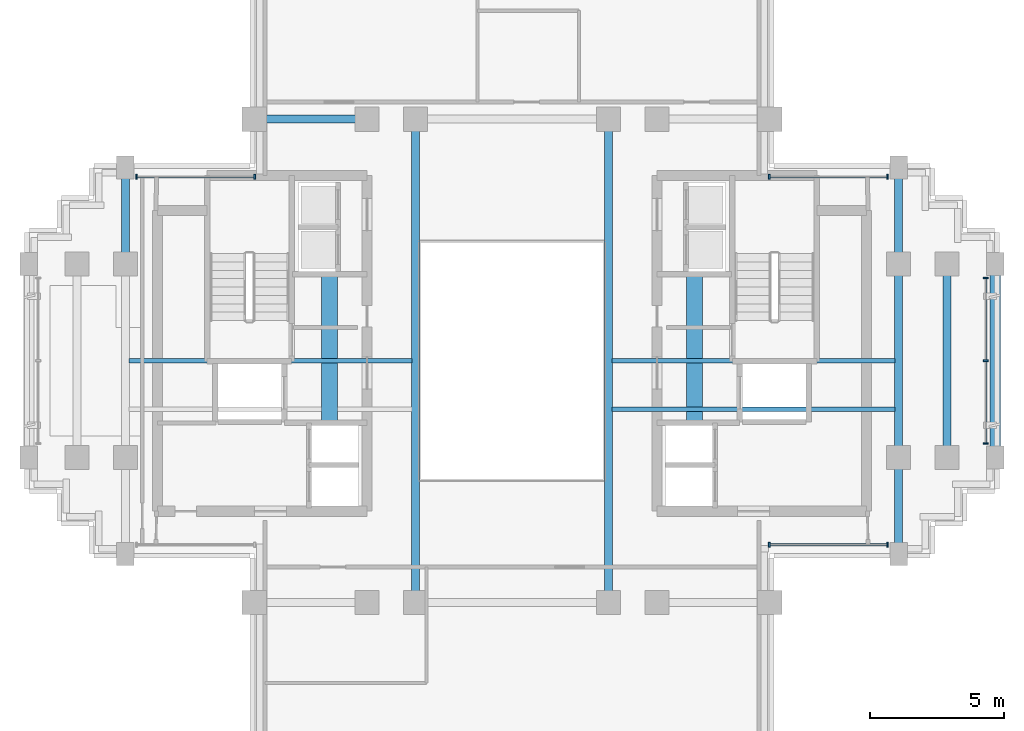
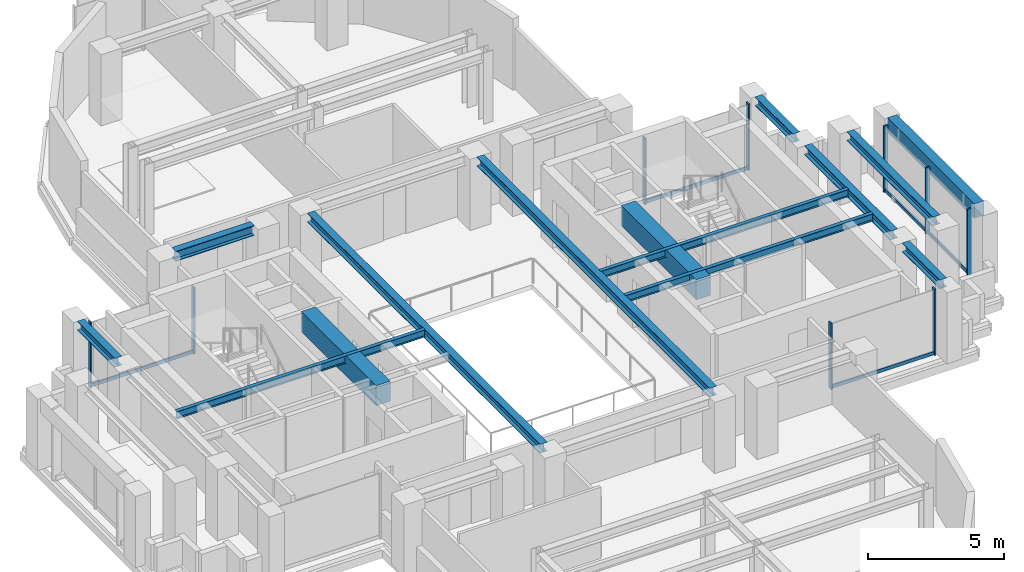
# One storey, part 3 of 12: 14 beams, 14 members, 4 elements without a shape of their own.
"""IFC4 building model written with IfcOpenShell, lengths in metres."""

from ifc_helpers import new_model, si_unit, direction, frame, origin, origin_2d, place, context, subcontext, project, spatial, rectangle, i_section, extrude, source, transform, mapped, material, material_profile, profile_set, type_object, element, aggregate, save


model = new_model("IFC4")

# Units and contexts
model_context = context("Model", 3, precision=1e-05, world=origin(), true_north=direction((0.0, 1.0)))
body_context = subcontext(model_context, "Body", "Model", "MODEL_VIEW")
ifc_project = project(units=[si_unit("LENGTHUNIT", "METRE"), si_unit("AREAUNIT", "SQUARE_METRE"), si_unit("VOLUMEUNIT", "CUBIC_METRE"), si_unit("PLANEANGLEUNIT", "RADIAN"), si_unit("MASSUNIT", "GRAM", prefix="KILO")], contexts=[model_context])

# Site, building, storey
site_placement = place(None, origin())
site = spatial("IfcSite", under=ifc_project, at=site_placement, CompositionType="ELEMENT")
building_placement = place(site_placement, origin())
building = spatial("IfcBuilding", under=site, at=building_placement, Name="Keilestroom Media Tower", CompositionType="ELEMENT")
storey_placement = place(building_placement, frame((0.0, 0.0, 177.39990234375)))
storey = spatial("IfcBuildingStorey", under=building, at=storey_placement, Name="L48", CompositionType="ELEMENT", Elevation=177.39990234375)

# Beams
ifc_material_1 = material(Name="Concrete C70/85", Category="concrete")
ifc_material_profile_1 = material_profile(ifc_material_1, rectangle(XDim=0.60009765625, YDim=0.89990234375, at=origin_2d()), Name="RC 600x900")
ifc_profile_set_1 = profile_set([ifc_material_profile_1], Name="Concrete C70/85")
beam_type_1 = type_object("IfcBeamType", Name="Core-Coupling-Lintel-Beam-RC-600x900", PredefinedType="LINTEL", material=ifc_profile_set_1)
shared_shape_1 = source(origin(), body_context, "Body", "SweptSolid", [
    extrude(rectangle(XDim=0.60009765625, YDim=0.89990234375, at=origin_2d()), origin(), (0.0, 0.0, 1.0), 5.52001953125),
])
for number, where, z_axis, x_axis, name in (
    (1, (-6.800048828125, -2.300048828125, 2.75), (0.0, 1.0, 0.0), (-1.0, 0.0, 0.0), "L48 Beam CLB-1 CLB-L48-W"),
    (2, (6.800048828125, -2.300048828125, 2.75), (0.0, 1.0, 0.0), (-1.0, 0.0, 0.0), "L48 Beam CLB-1 CLB-L48-E"),
):
    element("IfcBeam", number, at=place(storey_placement, frame(where, z_axis=z_axis, x_axis=x_axis)), inside=storey, type_object=beam_type_1, Name=name, PredefinedType="LINTEL", context=body_context, shape_type="MappedRepresentation", body=[
        mapped(shared_shape_1, transform((0.0, 0.0, 0.0), x_axis=(1.0, 0.0, 0.0), y_axis=(0.0, 1.0, 0.0), z_axis=(0.0, 0.0, 1.0), scale=1.0)),
    ])
ifc_material_2 = material(Name="Steel S355", Category="steel")
ifc_material_profile_2 = material_profile(ifc_material_2, i_section(OverallWidth=0.300048828125, OverallDepth=0.449951171875, WebThickness=0.011962890625, FlangeThickness=0.02587890625, at=origin_2d()), Name="HEB 450")
ifc_profile_set_2 = profile_set([ifc_material_profile_2], Name="Steel S355")
beam_type_2 = type_object("IfcBeamType", Name="Primary-Structural-Girder-HEB-450", PredefinedType="BEAM", material=ifc_profile_set_2)
shared_shape_2 = source(origin(), body_context, "Body", "SweptSolid", [
    extrude(i_section(OverallWidth=0.300048828125, OverallDepth=0.449951171875, WebThickness=0.011962890625, FlangeThickness=0.02587890625, at=origin_2d()), origin(), (0.0, 0.0, 1.0), 3.33984375),
])
beam_1_placement = place(storey_placement, frame((-9.169921875, 9.0, 2.97509765625), z_axis=(1.0, 0.0, 0.0), x_axis=(0.0, 1.0, 0.0)))
element("IfcBeam", 3, at=beam_1_placement, inside=storey, type_object=beam_type_2, Name="L48 Beam BG-7 BM-L48-EW-020", PredefinedType="BEAM", context=body_context, shape_type="MappedRepresentation", body=[
    mapped(shared_shape_2, transform((0.0, 0.0, 0.0), x_axis=(1.0, 0.0, 0.0), y_axis=(0.0, 1.0, 0.0), z_axis=(0.0, 0.0, 1.0), scale=1.0)),
])
ifc_material_3 = material(Name="Precast concrete C40/50", Category="concrete")
ifc_material_profile_3 = material_profile(ifc_material_3, rectangle(XDim=0.39990234375, YDim=0.64990234375, at=origin_2d()), Name="PC 400x650")
ifc_profile_set_3 = profile_set([ifc_material_profile_3], Name="Precast concrete C40/50")
beam_type_3 = type_object("IfcBeamType", Name="Perimeter-Spandrel-Beam-PC-400x650", PredefinedType="SPANDREL", material=ifc_profile_set_3)
shared_shape_3 = source(origin(), body_context, "Body", "SweptSolid", [
    extrude(rectangle(XDim=0.39990234375, YDim=0.64990234375, at=origin_2d()), origin(), (0.0, 0.0, 1.0), 6.39013671875),
])
beam_2_placement = place(storey_placement, frame((18.0, -3.195068359375, 2.875), z_axis=(0.0, 1.0, 0.0), x_axis=(-1.0, 0.0, 0.0)))
element("IfcBeam", 4, at=beam_2_placement, inside=storey, type_object=beam_type_3, Name="L48 Beam SPB-2 BM-L48-NS-054", PredefinedType="SPANDREL", context=body_context, shape_type="MappedRepresentation", body=[
    mapped(shared_shape_3, transform((0.0, 0.0, 0.0), x_axis=(1.0, 0.0, 0.0), y_axis=(0.0, 1.0, 0.0), z_axis=(0.0, 0.0, 1.0), scale=1.0)),
])
ifc_material_profile_4 = material_profile(ifc_material_2, i_section(OverallWidth=0.300048828125, OverallDepth=0.39990234375, WebThickness=0.011474609375, FlangeThickness=0.02392578125, at=origin_2d()), Name="HEB 400")
ifc_profile_set_4 = profile_set([ifc_material_profile_4], Name="Steel S355")
beam_type_4 = type_object("IfcBeamType", Name="Primary-Structural-Girder-HEB-400", PredefinedType="BEAM", material=ifc_profile_set_4)
shared_shape_4 = source(origin(), body_context, "Body", "SweptSolid", [
    extrude(i_section(OverallWidth=0.300048828125, OverallDepth=0.39990234375, WebThickness=0.011474609375, FlangeThickness=0.02392578125, at=origin_2d()), origin(), (0.0, 0.0, 1.0), 6.33984375),
])
for number, where, z_axis, x_axis, name in (
    (5, (14.39990234375, -3.169921875, 3.0), (0.0, 1.0, 0.0), (-1.0, 0.0, 0.0), "L48 Beam BG-8 BM-L48-NS-051"),
    (6, (16.199951171875, -3.169921875, 3.0), (0.0, 1.0, 0.0), (-1.0, 0.0, 0.0), "L48 Beam BG-8 BM-L48-NS-053"),
):
    element("IfcBeam", number, at=place(storey_placement, frame(where, z_axis=z_axis, x_axis=x_axis)), inside=storey, type_object=beam_type_4, Name=name, PredefinedType="BEAM", context=body_context, shape_type="MappedRepresentation", body=[
        mapped(shared_shape_4, transform((0.0, 0.0, 0.0), x_axis=(1.0, 0.0, 0.0), y_axis=(0.0, 1.0, 0.0), z_axis=(0.0, 0.0, 1.0), scale=1.0)),
    ])
shared_shape_5 = source(origin(), body_context, "Body", "SweptSolid", [
    extrude(i_section(OverallWidth=0.300048828125, OverallDepth=0.39990234375, WebThickness=0.011474609375, FlangeThickness=0.02392578125, at=origin_2d()), origin(), (0.0, 0.0, 1.0), 2.764892578125),
])
for number, where, z_axis, x_axis, name in (
    (7, (-14.39990234375, 4.030029296875, 3.0), (0.0, 1.0, 0.0), (-1.0, 0.0, 0.0), "L48 Beam BG-8 BM-L48-NS-035"),
    (8, (14.39990234375, -6.794921875, 3.0), (0.0, 1.0, 0.0), (-1.0, 0.0, 0.0), "L48 Beam BG-8 BM-L48-NS-050"),
    (9, (14.39990234375, 4.030029296875, 3.0), (0.0, 1.0, 0.0), (-1.0, 0.0, 0.0), "L48 Beam BG-8 BM-L48-NS-052"),
):
    element("IfcBeam", number, at=place(storey_placement, frame(where, z_axis=z_axis, x_axis=x_axis)), inside=storey, type_object=beam_type_4, Name=name, PredefinedType="BEAM", context=body_context, shape_type="MappedRepresentation", body=[
        mapped(shared_shape_5, transform((0.0, 0.0, 0.0), x_axis=(1.0, 0.0, 0.0), y_axis=(0.0, 1.0, 0.0), z_axis=(0.0, 0.0, 1.0), scale=1.0)),
    ])
shared_shape_6 = source(origin(), body_context, "Body", "SweptSolid", [
    extrude(i_section(OverallWidth=0.300048828125, OverallDepth=0.39990234375, WebThickness=0.011474609375, FlangeThickness=0.02392578125, at=origin_2d()), origin(), (0.0, 0.0, 1.0), 17.14013671875),
])
for number, where, z_axis, x_axis, name in (
    (10, (-3.60009765625, -8.570068359375, 3.0), (0.0, 1.0, 0.0), (-1.0, 0.0, 0.0), "L48 Beam BG-8 BM-L48-NS-040"),
    (11, (3.60009765625, -8.570068359375, 3.0), (0.0, 1.0, 0.0), (-1.0, 0.0, 0.0), "L48 Beam BG-8 BM-L48-NS-045"),
):
    element("IfcBeam", number, at=place(storey_placement, frame(where, z_axis=z_axis, x_axis=x_axis)), inside=storey, type_object=beam_type_4, Name=name, PredefinedType="BEAM", context=body_context, shape_type="MappedRepresentation", body=[
        mapped(shared_shape_6, transform((0.0, 0.0, 0.0), x_axis=(1.0, 0.0, 0.0), y_axis=(0.0, 1.0, 0.0), z_axis=(0.0, 0.0, 1.0), scale=1.0)),
    ])
ifc_material_profile_5 = material_profile(ifc_material_2, i_section(OverallWidth=0.159912109375, OverallDepth=0.330078125, WebThickness=0.007568359375, FlangeThickness=0.011474609375, at=origin_2d()), Name="IPE 330")
ifc_profile_set_5 = profile_set([ifc_material_profile_5], Name="Steel S355")
beam_type_5 = type_object("IfcBeamType", Name="Secondary-Floor-Joist-IPE-330", PredefinedType="JOIST", material=ifc_profile_set_5)
shared_shape_7 = source(origin(), body_context, "Body", "SweptSolid", [
    extrude(i_section(OverallWidth=0.159912109375, OverallDepth=0.330078125, WebThickness=0.007568359375, FlangeThickness=0.011474609375, at=origin_2d()), origin(), (0.0, 0.0, 1.0), 10.5400390625),
])
for number, where, z_axis, x_axis, name in (
    (12, (3.72998046875, -1.800048828125, 3.03515625), (1.0, 0.0, 0.0), (0.0, 1.0, 0.0), "L48 Beam BJ-6 JST-L48-059"),
    (13, (-14.27001953125, 0.0, 3.03515625), (1.0, 0.0, 0.0), (0.0, 1.0, 0.0), "L48 Beam BJ-6 JST-L48-060"),
    (14, (3.72998046875, 0.0, 3.03515625), (1.0, 0.0, 0.0), (0.0, 1.0, 0.0), "L48 Beam BJ-6 JST-L48-062"),
):
    element("IfcBeam", number, at=place(storey_placement, frame(where, z_axis=z_axis, x_axis=x_axis)), inside=storey, type_object=beam_type_5, Name=name, PredefinedType="JOIST", context=body_context, shape_type="MappedRepresentation", body=[
        mapped(shared_shape_7, transform((0.0, 0.0, 0.0), x_axis=(1.0, 0.0, 0.0), y_axis=(0.0, 1.0, 0.0), z_axis=(0.0, 0.0, 1.0), scale=1.0)),
    ])

# Curtain wall, members
ifc_material_4 = material(Name="Anodised Aluminium Alloy", Category="aluminium")
curtain_wall_type = type_object("IfcCurtainWallType", Name="Unitised-Curtain-Wall-CW-3", PredefinedType="NOTDEFINED", material=ifc_material_4)
curtain_wall_1_placement = place(storey_placement, origin())
curtain_wall_1 = element("IfcCurtainWall", 15, at=curtain_wall_1_placement, inside=storey, type_object=curtain_wall_type, Name="L48 Curtain Wall CW-3 CW-L48-E-1", PredefinedType="NOTDEFINED")
ifc_material_profile_6 = material_profile(ifc_material_4, rectangle(XDim=0.06494140625, YDim=0.179931640625, at=origin_2d()), Name="ALU MULLION 65x180")
ifc_profile_set_6 = profile_set([ifc_material_profile_6], Name="Anodised Aluminium Alloy")
member_type_1 = type_object("IfcMemberType", Name="Curtain-Wall-Mullion-CW-3", PredefinedType="MULLION", material=ifc_profile_set_6)
shared_shape_8 = source(origin(), body_context, "Body", "SweptSolid", [
    extrude(rectangle(XDim=0.06494140625, YDim=0.179931640625, at=origin_2d()), origin(), (0.0, 0.0, 1.0), 2.97998046875),
])
member_1_placement = place(storey_placement, frame((17.64990234375, -3.08251953125, 0.0), z_axis=(0.0, 0.0, 1.0), x_axis=(0.0, 1.0, 0.0)))
member_1 = element("IfcMember", 16, at=member_1_placement, type_object=member_type_1, Name="CW-3 Mullion 00", PredefinedType="MULLION", context=body_context, shape_type="MappedRepresentation", body=[
    mapped(shared_shape_8, transform((0.0, 0.0, 0.0), x_axis=(1.0, 0.0, 0.0), y_axis=(0.0, 1.0, 0.0), z_axis=(0.0, 0.0, 1.0), scale=1.0)),
])
member_2_placement = place(storey_placement, frame((17.64990234375, 0.0, 0.0), z_axis=(0.0, 0.0, 1.0), x_axis=(0.0, 1.0, 0.0)))
member_2 = element("IfcMember", 17, at=member_2_placement, type_object=member_type_1, Name="CW-3 Mullion 01", PredefinedType="MULLION", context=body_context, shape_type="MappedRepresentation", body=[
    mapped(shared_shape_8, transform((0.0, 0.0, 0.0), x_axis=(1.0, 0.0, 0.0), y_axis=(0.0, 1.0, 0.0), z_axis=(0.0, 0.0, 1.0), scale=1.0)),
])
member_3_placement = place(storey_placement, frame((17.64990234375, 3.08251953125, 0.0), z_axis=(0.0, 0.0, 1.0), x_axis=(0.0, 1.0, 0.0)))
member_3 = element("IfcMember", 18, at=member_3_placement, type_object=member_type_1, Name="CW-3 Mullion 02", PredefinedType="MULLION", context=body_context, shape_type="MappedRepresentation", body=[
    mapped(shared_shape_8, transform((0.0, 0.0, 0.0), x_axis=(1.0, 0.0, 0.0), y_axis=(0.0, 1.0, 0.0), z_axis=(0.0, 0.0, 1.0), scale=1.0)),
])

curtain_wall_2_placement = place(storey_placement, origin())
curtain_wall_2 = element("IfcCurtainWall", 19, at=curtain_wall_2_placement, inside=storey, type_object=curtain_wall_type, Name="L48 Curtain Wall CW-3 CW-L48-NW-1", PredefinedType="NOTDEFINED")
member_4_placement = place(storey_placement, frame((-13.982421875, 6.85009765625, 0.0), z_axis=(0.0, 0.0, 1.0), x_axis=(1.0, 0.0, 0.0)))
member_4 = element("IfcMember", 20, at=member_4_placement, type_object=member_type_1, Name="CW-3 Mullion 00", PredefinedType="MULLION", context=body_context, shape_type="MappedRepresentation", body=[
    mapped(shared_shape_8, transform((0.0, 0.0, 0.0), x_axis=(1.0, 0.0, 0.0), y_axis=(0.0, 1.0, 0.0), z_axis=(0.0, 0.0, 1.0), scale=1.0)),
])
member_5_placement = place(storey_placement, frame((-9.58251953125, 6.85009765625, 0.0), z_axis=(0.0, 0.0, 1.0), x_axis=(1.0, 0.0, 0.0)))
member_5 = element("IfcMember", 21, at=member_5_placement, type_object=member_type_1, Name="CW-3 Mullion 01", PredefinedType="MULLION", context=body_context, shape_type="MappedRepresentation", body=[
    mapped(shared_shape_8, transform((0.0, 0.0, 0.0), x_axis=(1.0, 0.0, 0.0), y_axis=(0.0, 1.0, 0.0), z_axis=(0.0, 0.0, 1.0), scale=1.0)),
])

curtain_wall_3_placement = place(storey_placement, origin())
curtain_wall_3 = element("IfcCurtainWall", 22, at=curtain_wall_3_placement, inside=storey, type_object=curtain_wall_type, Name="L48 Curtain Wall CW-3 CW-L48-NE-1", PredefinedType="NOTDEFINED")
member_6_placement = place(storey_placement, frame((9.58251953125, 6.85009765625, 0.0), z_axis=(0.0, 0.0, 1.0), x_axis=(1.0, 0.0, 0.0)))
member_6 = element("IfcMember", 23, at=member_6_placement, type_object=member_type_1, Name="CW-3 Mullion 00", PredefinedType="MULLION", context=body_context, shape_type="MappedRepresentation", body=[
    mapped(shared_shape_8, transform((0.0, 0.0, 0.0), x_axis=(1.0, 0.0, 0.0), y_axis=(0.0, 1.0, 0.0), z_axis=(0.0, 0.0, 1.0), scale=1.0)),
])
member_7_placement = place(storey_placement, frame((13.982421875, 6.85009765625, 0.0), z_axis=(0.0, 0.0, 1.0), x_axis=(1.0, 0.0, 0.0)))
member_7 = element("IfcMember", 24, at=member_7_placement, type_object=member_type_1, Name="CW-3 Mullion 01", PredefinedType="MULLION", context=body_context, shape_type="MappedRepresentation", body=[
    mapped(shared_shape_8, transform((0.0, 0.0, 0.0), x_axis=(1.0, 0.0, 0.0), y_axis=(0.0, 1.0, 0.0), z_axis=(0.0, 0.0, 1.0), scale=1.0)),
])

curtain_wall_4_placement = place(storey_placement, origin())
curtain_wall_4 = element("IfcCurtainWall", 25, at=curtain_wall_4_placement, inside=storey, type_object=curtain_wall_type, Name="L48 Curtain Wall CW-3 CW-L48-SE-1", PredefinedType="NOTDEFINED")
member_8_placement = place(storey_placement, frame((9.58251953125, -6.85009765625, 0.0), z_axis=(0.0, 0.0, 1.0), x_axis=(1.0, 0.0, 0.0)))
member_8 = element("IfcMember", 26, at=member_8_placement, type_object=member_type_1, Name="CW-3 Mullion 00", PredefinedType="MULLION", context=body_context, shape_type="MappedRepresentation", body=[
    mapped(shared_shape_8, transform((0.0, 0.0, 0.0), x_axis=(1.0, 0.0, 0.0), y_axis=(0.0, 1.0, 0.0), z_axis=(0.0, 0.0, 1.0), scale=1.0)),
])
member_9_placement = place(storey_placement, frame((13.982421875, -6.85009765625, 0.0), z_axis=(0.0, 0.0, 1.0), x_axis=(1.0, 0.0, 0.0)))
member_9 = element("IfcMember", 27, at=member_9_placement, type_object=member_type_1, Name="CW-3 Mullion 01", PredefinedType="MULLION", context=body_context, shape_type="MappedRepresentation", body=[
    mapped(shared_shape_8, transform((0.0, 0.0, 0.0), x_axis=(1.0, 0.0, 0.0), y_axis=(0.0, 1.0, 0.0), z_axis=(0.0, 0.0, 1.0), scale=1.0)),
])

# Member
ifc_material_profile_7 = material_profile(ifc_material_4, rectangle(XDim=0.06494140625, YDim=0.14990234375, at=origin_2d()), Name="ALU TRANSOM 65x150")
ifc_profile_set_7 = profile_set([ifc_material_profile_7], Name="Anodised Aluminium Alloy")
member_type_2 = type_object("IfcMemberType", Name="Curtain-Wall-Transom-CW-3", PredefinedType="USERDEFINED", material=ifc_profile_set_7)
shared_shape_9 = source(origin(), body_context, "Body", "SweptSolid", [
    extrude(rectangle(XDim=0.06494140625, YDim=0.14990234375, at=origin_2d()), origin(), (0.0, 0.0, 1.0), 4.3388671875),
])
member_10_placement = place(storey_placement, frame((-13.951904296875, 6.85009765625, 0.0751953125), z_axis=(1.0, 0.0, 0.0), x_axis=(0.0, 1.0, 0.0)))
member_10 = element("IfcMember", 28, at=member_10_placement, type_object=member_type_2, Name="CW-3 Transom 00.1", ObjectType="TRANSOM", PredefinedType="USERDEFINED", context=body_context, shape_type="MappedRepresentation", body=[
    mapped(shared_shape_9, transform((0.0, 0.0, 0.0), x_axis=(1.0, 0.0, 0.0), y_axis=(0.0, 1.0, 0.0), z_axis=(0.0, 0.0, 1.0), scale=1.0)),
])

aggregate(curtain_wall_2, [member_4, member_5, member_10])

member_11_placement = place(storey_placement, frame((9.613037109375, 6.85009765625, 0.0751953125), z_axis=(1.0, 0.0, 0.0), x_axis=(0.0, 1.0, 0.0)))
member_11 = element("IfcMember", 29, at=member_11_placement, type_object=member_type_2, Name="CW-3 Transom 00.1", ObjectType="TRANSOM", PredefinedType="USERDEFINED", context=body_context, shape_type="MappedRepresentation", body=[
    mapped(shared_shape_9, transform((0.0, 0.0, 0.0), x_axis=(1.0, 0.0, 0.0), y_axis=(0.0, 1.0, 0.0), z_axis=(0.0, 0.0, 1.0), scale=1.0)),
])

aggregate(curtain_wall_3, [member_6, member_7, member_11])

member_12_placement = place(storey_placement, frame((9.613037109375, -6.85009765625, 0.0751953125), z_axis=(1.0, 0.0, 0.0), x_axis=(0.0, 1.0, 0.0)))
member_12 = element("IfcMember", 30, at=member_12_placement, type_object=member_type_2, Name="CW-3 Transom 00.1", ObjectType="TRANSOM", PredefinedType="USERDEFINED", context=body_context, shape_type="MappedRepresentation", body=[
    mapped(shared_shape_9, transform((0.0, 0.0, 0.0), x_axis=(1.0, 0.0, 0.0), y_axis=(0.0, 1.0, 0.0), z_axis=(0.0, 0.0, 1.0), scale=1.0)),
])

aggregate(curtain_wall_4, [member_8, member_9, member_12])

shared_shape_10 = source(origin(), body_context, "Body", "SweptSolid", [
    extrude(rectangle(XDim=0.06494140625, YDim=0.14990234375, at=origin_2d()), origin(), (0.0, 0.0, 1.0), 3.021484375),
])
member_13_placement = place(storey_placement, frame((17.64990234375, -3.052001953125, 0.0751953125), z_axis=(0.0, 1.0, 0.0), x_axis=(-1.0, 0.0, 0.0)))
member_13 = element("IfcMember", 31, at=member_13_placement, type_object=member_type_2, Name="CW-3 Transom 00.1", ObjectType="TRANSOM", PredefinedType="USERDEFINED", context=body_context, shape_type="MappedRepresentation", body=[
    mapped(shared_shape_10, transform((0.0, 0.0, 0.0), x_axis=(1.0, 0.0, 0.0), y_axis=(0.0, 1.0, 0.0), z_axis=(0.0, 0.0, 1.0), scale=1.0)),
])

member_14_placement = place(storey_placement, frame((17.64990234375, 0.030517578125, 0.0751953125), z_axis=(0.0, 1.0, 0.0), x_axis=(-1.0, 0.0, 0.0)))
member_14 = element("IfcMember", 32, at=member_14_placement, type_object=member_type_2, Name="CW-3 Transom 01.1", ObjectType="TRANSOM", PredefinedType="USERDEFINED", context=body_context, shape_type="MappedRepresentation", body=[
    mapped(shared_shape_10, transform((0.0, 0.0, 0.0), x_axis=(1.0, 0.0, 0.0), y_axis=(0.0, 1.0, 0.0), z_axis=(0.0, 0.0, 1.0), scale=1.0)),
])

aggregate(curtain_wall_1, [member_1, member_2, member_3, member_13, member_14])

save(model, "model.ifc")
